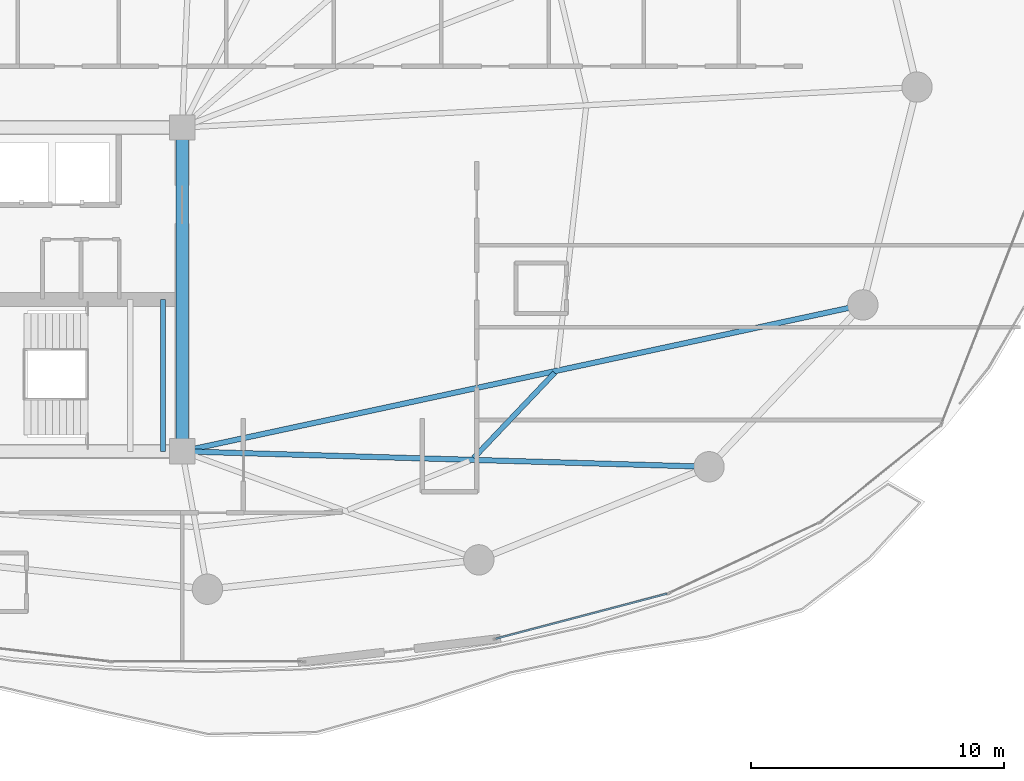
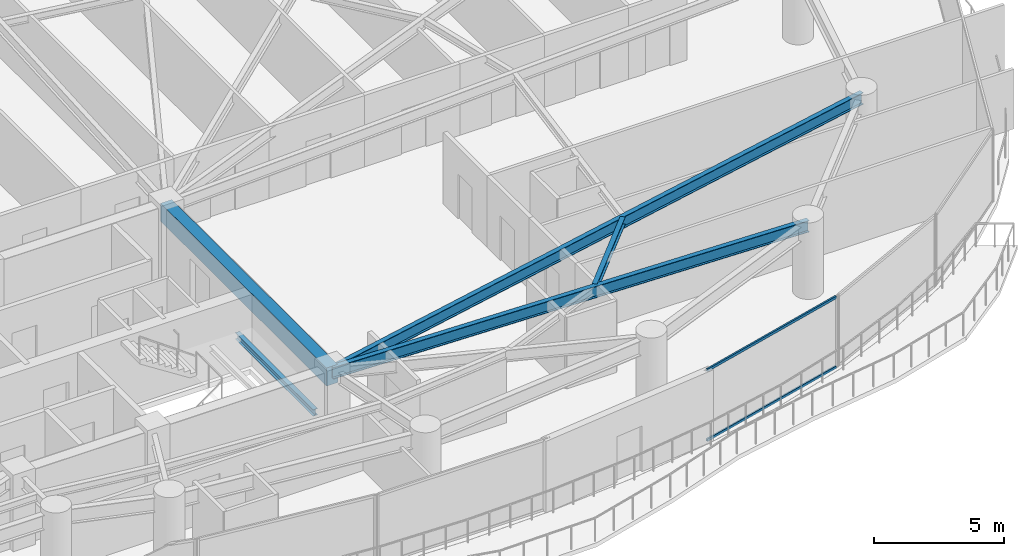
# One storey, part 13 of 34: 5 beams, 2 members, 1 element without a shape of its own.
"""IFC4 building model written with IfcOpenShell, lengths in metres."""

import ifcopenshell
import ifcopenshell.guid

model = None  # the IFC model being written
_history = None  # IfcOwnerHistory: only IFC2X3 demands one
_inside = {}  # id of a spatial element -> (the spatial element, [elements in it])
_under = {}  # id of a project, library or spatial element -> (it, [spatial elements below it])
_declared = {}  # id of a project -> (the project, [libraries it declares])
_typed = {}  # id of a type object -> (the type object, [elements of that type])
_made_of = {}  # id of a material, layer set ... -> (it, [elements and type objects made of it])


def new_model(schema):
    """Start an empty IFC model of exactly this schema.

    Asked for "IFC4X3", IfcOpenShell would pick the latest addendum, in which some entities
    have other attributes; the version numbers below select the first issue.
    IFC2X3 requires an IfcOwnerHistory on every rooted entity: one is made here for all.
    """
    global model, _history
    if schema == "IFC4X3":
        model = ifcopenshell.file(schema_version=(4, 3, 0, 0))
    else:
        model = ifcopenshell.file(schema=schema)
    _inside.clear()
    _under.clear()
    _declared.clear()
    _typed.clear()
    _made_of.clear()
    _history = None
    if model.schema == "IFC2X3":
        org = make("IfcOrganization", Name="unknown")
        user = make(
            "IfcPersonAndOrganization",
            ThePerson=make("IfcPerson", FamilyName="unknown"),
            TheOrganization=org,
        )
        app = make(
            "IfcApplication",
            ApplicationDeveloper=org,
            Version="unknown",
            ApplicationFullName="unknown",
            ApplicationIdentifier="unknown",
        )
        _history = make(
            "IfcOwnerHistory",
            OwningUser=user,
            OwningApplication=app,
            ChangeAction="ADDED",
            CreationDate=0,
        )
    return model


def make(cls, **values):
    """One entity of the class cls with the attributes given. An attribute that is None is left unset."""
    return model.create_entity(
        cls, **{name: value for name, value in values.items() if value is not None}
    )


def rooted(cls, **values):
    """An entity with a GlobalId (a new one), such as an element, a storey or a relation."""
    return make(cls, GlobalId=ifcopenshell.guid.new(), OwnerHistory=_history, **values)


def si_unit(unit_type, name, prefix=None):
    """IfcSIUnit, for example si_unit("LENGTHUNIT", "METRE", prefix="MILLI")."""
    return make("IfcSIUnit", UnitType=unit_type, Prefix=prefix, Name=name)


def assignment(units):
    """IfcUnitAssignment: the units of a project."""
    return None if units is None else make("IfcUnitAssignment", Units=units)


def point(xyz):
    """IfcCartesianPoint."""
    return None if xyz is None else make("IfcCartesianPoint", Coordinates=xyz)


def direction(xyz):
    """IfcDirection."""
    return None if xyz is None else make("IfcDirection", DirectionRatios=xyz)


def frame(location, z_axis=None, x_axis=None):
    """IfcAxis2Placement3D, a coordinate frame: its origin and axes. An axis left out is left unset."""
    return make(
        "IfcAxis2Placement3D",
        Location=point(location),
        Axis=direction(z_axis),
        RefDirection=direction(x_axis),
    )


def frame_2d(location, x_axis=None):
    """IfcAxis2Placement2D, a coordinate frame in the plane: its origin and x axis."""
    return make(
        "IfcAxis2Placement2D", Location=point(location), RefDirection=direction(x_axis)
    )


def origin():
    """The frame at (0, 0, 0) with its axes left unset."""
    return frame((0.0, 0.0, 0.0))


def origin_2d():
    """The frame at (0, 0) in the plane with its x axis left unset."""
    return frame_2d((0.0, 0.0))


def place(relative_to, where):
    """IfcLocalPlacement: puts the frame where relative to a parent placement (None: the world)."""
    return make(
        "IfcLocalPlacement", PlacementRelTo=relative_to, RelativePlacement=where
    )


def context(
    kind, dimensions, precision=None, world=None, true_north=None, identifier=None
):
    """IfcGeometricRepresentationContext, for example the 3D "Model" context."""
    return make(
        "IfcGeometricRepresentationContext",
        ContextIdentifier=identifier,
        ContextType=kind,
        CoordinateSpaceDimension=dimensions,
        Precision=precision,
        WorldCoordinateSystem=world,
        TrueNorth=true_north,
    )


def subcontext(parent, identifier, kind, view, scale=None):
    """IfcGeometricRepresentationSubContext, for example "Body" below "Model"."""
    return make(
        "IfcGeometricRepresentationSubContext",
        ContextIdentifier=identifier,
        ContextType=kind,
        ParentContext=parent,
        TargetScale=scale,
        TargetView=view,
    )


def project(units=None, contexts=None):
    """IfcProject with its units and contexts."""
    return rooted(
        "IfcProject",
        Name="project",
        RepresentationContexts=contexts,
        UnitsInContext=assignment(units),
    )


def spatial(cls, under=None, at=None, **own):
    """A site, building, storey or space (cls), placed at a placement, below another one or the project."""
    s = rooted(cls, ObjectPlacement=at, **own)
    if under is not None:
        _under.setdefault(under.id(), (under, []))[1].append(s)
    return s


def profile(cls, at=None, kind="AREA", **sizes):
    """A parametric profile (cls). Its sizes go by their IFC names, for example OverallWidth=200.0."""
    return make(cls, ProfileType=kind, Position=at, **sizes)


def rectangle(**sizes):
    """IfcRectangleProfileDef."""
    return profile("IfcRectangleProfileDef", **sizes)


def hollow_rectangle(**sizes):
    """IfcRectangleHollowProfileDef."""
    return profile("IfcRectangleHollowProfileDef", **sizes)


def i_section(**sizes):
    """IfcIShapeProfileDef."""
    return profile("IfcIShapeProfileDef", **sizes)


def extrude(swept, where, along, depth):
    """IfcExtrudedAreaSolid: the profile swept, set in the frame where, extruded along a direction by depth."""
    return make(
        "IfcExtrudedAreaSolid",
        SweptArea=swept,
        Position=where,
        ExtrudedDirection=direction(along),
        Depth=depth,
    )


def shape(context_of_items, identifier, shape_type, items):
    """IfcShapeRepresentation: the items that make up one representation, for example the "Body"."""
    return make(
        "IfcShapeRepresentation",
        ContextOfItems=context_of_items,
        RepresentationIdentifier=identifier,
        RepresentationType=shape_type,
        Items=items,
    )


def material(Name=None, Category=None):
    """IfcMaterial."""
    return make("IfcMaterial", Name=Name, Category=Category)


def layer(
    of_material, thickness, ventilated=None, Name=None, Category=None, Priority=None
):
    """IfcMaterialLayer: one layer of a wall or slab, of a material (None: an air gap)."""
    return make(
        "IfcMaterialLayer",
        Material=of_material,
        LayerThickness=thickness,
        IsVentilated=ventilated,
        Name=Name,
        Category=Category,
        Priority=Priority,
    )


def layer_set(layers, Name=None):
    """IfcMaterialLayerSet."""
    return make("IfcMaterialLayerSet", MaterialLayers=layers, LayerSetName=Name)


def material_profile(
    of_material, cross_section, Name=None, Category=None, Priority=None
):
    """IfcMaterialProfile: a cross section and its material."""
    return make(
        "IfcMaterialProfile",
        Name=Name,
        Material=of_material,
        Profile=cross_section,
        Priority=Priority,
        Category=Category,
    )


def profile_set(profiles, Name=None, composite=None):
    """IfcMaterialProfileSet."""
    return make(
        "IfcMaterialProfileSet",
        Name=Name,
        MaterialProfiles=profiles,
        CompositeProfile=composite,
    )


def made_of(thing, what):
    """Note that an element or type object is made of a material, layer set ...; save() writes the relation."""
    if what is not None:
        _made_of.setdefault(what.id(), (what, []))[1].append(thing)
    return thing


def type_object(cls, material=None, **own):
    """A type object (cls), such as IfcWallType, which elements share."""
    return made_of(rooted(cls, **own), material)


def element(
    cls,
    number,
    at=None,
    inside=None,
    cuts=None,
    type_object=None,
    material=None,
    context=None,
    identifier="Body",
    shape_type=None,
    held_by="IfcProductDefinitionShape",
    body=None,
    shapes=None,
    **own,
):
    """One element of the class cls, such as IfcWall. Its Tag is "e" and its number.

    at: its placement. inside: the storey or other place that contains it. cuts: it is an
    opening in that element (IfcRelVoidsElement). A single representation is given by context,
    identifier, shape_type and body (its items); several are given by shapes. held_by: the class
    of the entity that holds the representations. save() writes the other relations.
    """
    e = rooted(cls, Tag="e%d" % number, ObjectPlacement=at, **own)
    if body is not None:
        shapes = [shape(context, identifier, shape_type, body)]
    if shapes is not None:
        e.Representation = make(held_by, Representations=shapes)
    if inside is not None:
        _inside.setdefault(inside.id(), (inside, []))[1].append(e)
    if cuts is not None:
        rooted(
            "IfcRelVoidsElement", RelatingBuildingElement=cuts, RelatedOpeningElement=e
        )
    if type_object is not None:
        _typed.setdefault(type_object.id(), (type_object, []))[1].append(e)
    return made_of(e, material)


def aggregate(whole, parts):
    """IfcRelAggregates: a whole, such as a stair, and the parts it consists of."""
    return rooted("IfcRelAggregates", RelatingObject=whole, RelatedObjects=parts)


def save(model, path):
    """Write the relations noted so far, then the file.

    IfcRelAggregates (storeys below a building ...), IfcRelContainedInSpatialStructure (elements
    in a storey), IfcRelDefinesByType, IfcRelAssociatesMaterial and IfcRelDeclares: one each for
    every whole, place, type object, material and project.
    """
    for whole, parts in _under.values():
        aggregate(whole, parts)
    for where, things in _inside.values():
        rooted(
            "IfcRelContainedInSpatialStructure",
            RelatedElements=things,
            RelatingStructure=where,
        )
    for kind, things in _typed.values():
        rooted("IfcRelDefinesByType", RelatedObjects=things, RelatingType=kind)
    for what, things in _made_of.values():
        rooted("IfcRelAssociatesMaterial", RelatedObjects=things, RelatingMaterial=what)
    for by, libraries in _declared.values():
        rooted("IfcRelDeclares", RelatingContext=by, RelatedDefinitions=libraries)
    model.write(path)


model = new_model("IFC4")

# Units and contexts
model_context = context("Model", 3, precision=1e-05, world=origin(), true_north=direction((0.0, 1.0)))
body_context = subcontext(model_context, "Body", "Model", "MODEL_VIEW")
ifc_project = project(units=[si_unit("LENGTHUNIT", "METRE"), si_unit("AREAUNIT", "SQUARE_METRE"), si_unit("VOLUMEUNIT", "CUBIC_METRE"), si_unit("PLANEANGLEUNIT", "RADIAN"), si_unit("MASSUNIT", "GRAM", prefix="KILO")], contexts=[model_context])

# Site, building, storey
site_placement = place(None, origin())
site = spatial("IfcSite", under=ifc_project, at=site_placement, CompositionType="ELEMENT")
building_placement = place(site_placement, origin())
building = spatial("IfcBuilding", under=site, at=building_placement, Name="Kazevale Care Tower and Concert Hall", CompositionType="ELEMENT")
storey_placement = place(building_placement, frame((0.0, 0.0, 160.199951171875)))
storey = spatial("IfcBuildingStorey", under=building, at=storey_placement, Name="L42", CompositionType="ELEMENT", Elevation=160.199951171875)

# Curtain wall, members
ifc_material_1 = material(Name="Aluminium 6063-T6 and Low-E Glass", Category="aluminium")
ifc_layer = layer(ifc_material_1, 0.179931640625)
ifc_layer_set = layer_set([ifc_layer], Name="Aluminium 6063-T6 and Low-E Glass")
curtain_wall_type = type_object("IfcCurtainWallType", Name="Sheltered Concave Balcony Curtain Wall CW-5", PredefinedType="NOTDEFINED", material=ifc_layer_set)
curtain_wall_placement = place(storey_placement, origin())
curtain_wall = element("IfcCurtainWall", 1, at=curtain_wall_placement, inside=storey, type_object=curtain_wall_type, Name="cw:L42:f04", PredefinedType="NOTDEFINED")
ifc_material_2 = material(Name="Aluminium 6063-T6", Category="aluminium")
ifc_material_profile_1 = material_profile(ifc_material_2, hollow_rectangle(XDim=0.074951171875, YDim=0.1201171875, WallThickness=0.00390625, at=origin_2d()), Name="ALU75x120x4")
ifc_profile_set_1 = profile_set([ifc_material_profile_1], Name="Aluminium 6063-T6")
member_type = type_object("IfcMemberType", Name="CW-5 Transom ALU75x120x4", PredefinedType="USERDEFINED", material=ifc_profile_set_1)
member_1_placement = place(storey_placement, frame((63.16845703125, 17.971923828125, 0.03759765625), z_axis=(-0.967142752699, -0.254233939321, 0.0), x_axis=(0.254233939321, -0.967142752699, 0.0)))
member_1 = element("IfcMember", 2, at=member_1_placement, type_object=member_type, Name="CW-5 transom 1.1", ObjectType="TRANSOM", PredefinedType="USERDEFINED", context=body_context, shape_type="SweptSolid", body=[
    extrude(hollow_rectangle(XDim=0.074951171875, YDim=0.1201171875, WallThickness=0.00390625, at=origin_2d()), origin(), (0.0, 0.0, 1.0), 6.996826171875),
])
member_2_placement = place(storey_placement, frame((63.16845703125, 17.971923828125, 3.322509765625), z_axis=(-0.967142752699, -0.254233939321, 0.0), x_axis=(0.254233939321, -0.967142752699, 0.0)))
member_2 = element("IfcMember", 3, at=member_2_placement, type_object=member_type, Name="CW-5 transom 1.2", ObjectType="TRANSOM", PredefinedType="USERDEFINED", context=body_context, shape_type="SweptSolid", body=[
    extrude(hollow_rectangle(XDim=0.074951171875, YDim=0.1201171875, WallThickness=0.00390625, at=origin_2d()), origin(), (0.0, 0.0, 1.0), 6.996826171875),
])
aggregate(curtain_wall, [member_1, member_2])

# Beams
ifc_material_3 = material(Name="Concrete C60", Category="concrete")
ifc_material_profile_2 = material_profile(ifc_material_3, rectangle(XDim=0.5, YDim=0.85009765625, at=origin_2d()), Name="RC-B500x850")
ifc_profile_set_2 = profile_set([ifc_material_profile_2], Name="Concrete C60")
beam_type_1 = type_object("IfcBeamType", Name="Core Coupling Beam RC500x850", PredefinedType="LINTEL", material=ifc_profile_set_2)
beam_1_placement = place(storey_placement, frame((44.0, 23.60009765625, 2.93505859375), z_axis=(0.0, 1.0, 0.0), x_axis=(-1.0, 0.0, 0.0)))
element("IfcBeam", 4, at=beam_1_placement, inside=storey, type_object=beam_type_1, Name="beam:L42:coretie:4", PredefinedType="LINTEL", context=body_context, shape_type="SweptSolid", body=[
    extrude(rectangle(XDim=0.5, YDim=0.85009765625, at=origin_2d()), origin(), (0.0, 0.0, 1.0), 12.7998046875),
])
ifc_material_4 = material(Name="Steel ASTM A572 Gr 50", Category="steel")
ifc_material_profile_3 = material_profile(ifc_material_4, i_section(OverallWidth=0.2119140625, OverallDepth=0.5439453125, WebThickness=0.01318359375, FlangeThickness=0.021240234375, at=origin_2d()), Name="W530x123")
ifc_profile_set_3 = profile_set([ifc_material_profile_3], Name="Steel ASTM A572 Gr 50")
beam_type_2 = type_object("IfcBeamType", Name="Radial Floor Girder W530x123", PredefinedType="BEAM", material=ifc_profile_set_3)
beam_2_placement = place(storey_placement, frame((44.0, 23.60009765625, 3.088134765625), z_axis=(0.99957133157, -0.029277177187, 0.0), x_axis=(0.029277177187, 0.99957133157, 0.0)))
element("IfcBeam", 5, at=beam_2_placement, inside=storey, type_object=beam_type_2, Name="beam:L42:rad:15", PredefinedType="BEAM", context=body_context, shape_type="SweptSolid", body=[
    extrude(i_section(OverallWidth=0.2119140625, OverallDepth=0.5439453125, WebThickness=0.01318359375, FlangeThickness=0.021240234375, at=origin_2d()), origin(), (0.0, 0.0, 1.0), 20.839111328125),
])
beam_3_placement = place(storey_placement, frame((44.0, 23.60009765625, 3.088134765625), z_axis=(0.97762801725, 0.210341293823, 0.0), x_axis=(-0.210341293823, 0.97762801725, 0.0)))
element("IfcBeam", 6, at=beam_3_placement, inside=storey, type_object=beam_type_2, Name="beam:L42:rad:16", PredefinedType="BEAM", context=body_context, shape_type="SweptSolid", body=[
    extrude(i_section(OverallWidth=0.2119140625, OverallDepth=0.5439453125, WebThickness=0.01318359375, FlangeThickness=0.021240234375, at=origin_2d()), origin(), (0.0, 0.0, 1.0), 27.525634765625),
])
ifc_material_profile_4 = material_profile(ifc_material_4, i_section(OverallWidth=0.205078125, OverallDepth=0.35400390625, WebThickness=0.009521484375, FlangeThickness=0.016845703125, at=origin_2d()), Name="W360x79")
ifc_profile_set_4 = profile_set([ifc_material_profile_4], Name="Steel ASTM A572 Gr 50")
beam_type_3 = type_object("IfcBeamType", Name="Secondary Floor Joist W360x79", PredefinedType="JOIST", material=ifc_profile_set_4)
beam_4_placement = place(storey_placement, frame((55.529052734375, 23.341064453125, 3.18310546875), z_axis=(0.688792288395, 0.724958746032, 0.0), x_axis=(-0.724958746032, 0.688792288395, 0.0)))
element("IfcBeam", 7, at=beam_4_placement, inside=storey, type_object=beam_type_3, Name="beam:L42:joist:15", PredefinedType="JOIST", context=body_context, shape_type="SweptSolid", body=[
    extrude(i_section(OverallWidth=0.205078125, OverallDepth=0.35400390625, WebThickness=0.009521484375, FlangeThickness=0.016845703125, at=origin_2d()), origin(), (0.0, 0.0, 1.0), 4.644287109375),
])
ifc_material_profile_5 = material_profile(ifc_material_4, i_section(OverallWidth=0.202880859375, OverallDepth=0.302978515625, WebThickness=0.007568359375, FlangeThickness=0.01318359375, at=origin_2d()), Name="W310x60")
ifc_profile_set_5 = profile_set([ifc_material_profile_5], Name="Steel ASTM A572 Gr 50")
beam_type_4 = type_object("IfcBeamType", Name="Stair & Balcony Trimmer W310x60", PredefinedType="BEAM", material=ifc_profile_set_5)
beam_5_placement = place(storey_placement, frame((43.25, 23.60009765625, 1.448486328125), z_axis=(0.0, 1.0, 0.0), x_axis=(-1.0, 0.0, 0.0)))
element("IfcBeam", 8, at=beam_5_placement, inside=storey, type_object=beam_type_4, Name="beam:L42:sttrim:ST2b", PredefinedType="BEAM", context=body_context, shape_type="SweptSolid", body=[
    extrude(i_section(OverallWidth=0.202880859375, OverallDepth=0.302978515625, WebThickness=0.007568359375, FlangeThickness=0.01318359375, at=origin_2d()), origin(), (0.0, 0.0, 1.0), 6.0),
])

save(model, "model.ifc")
